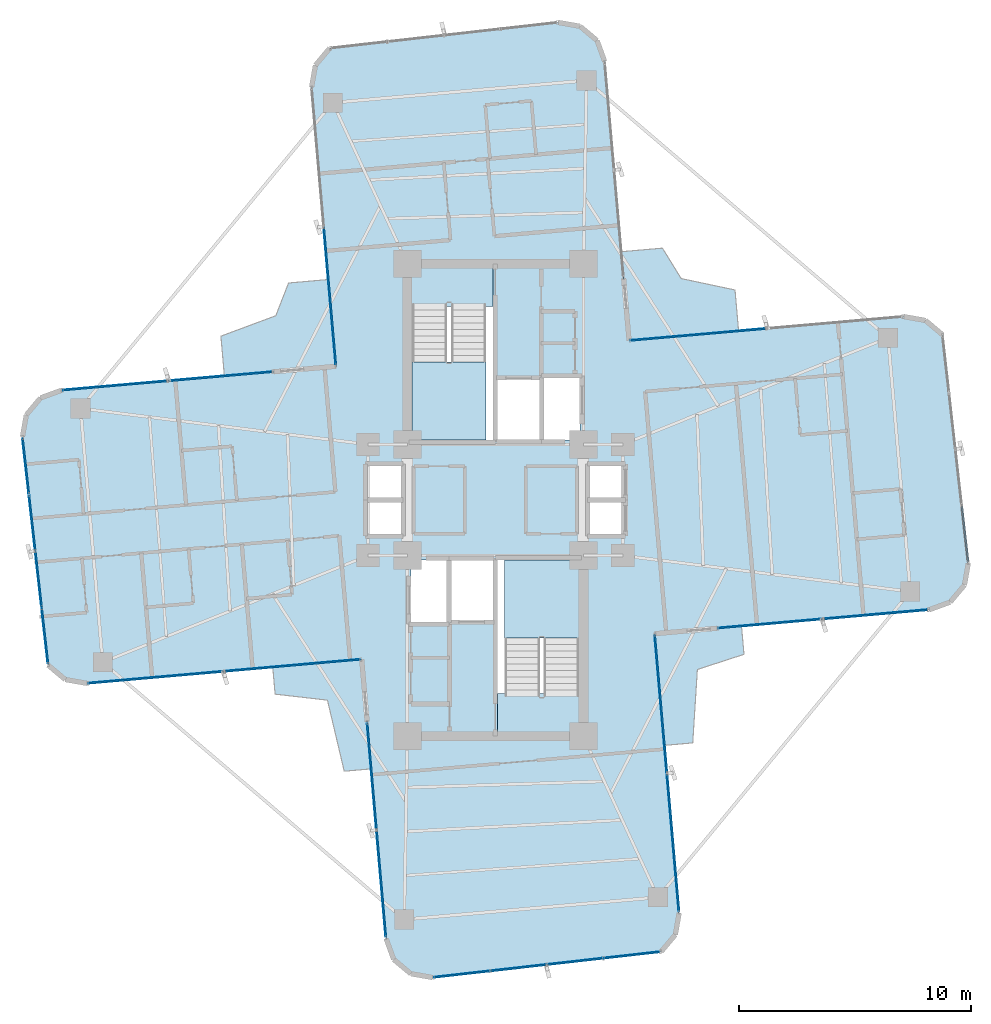
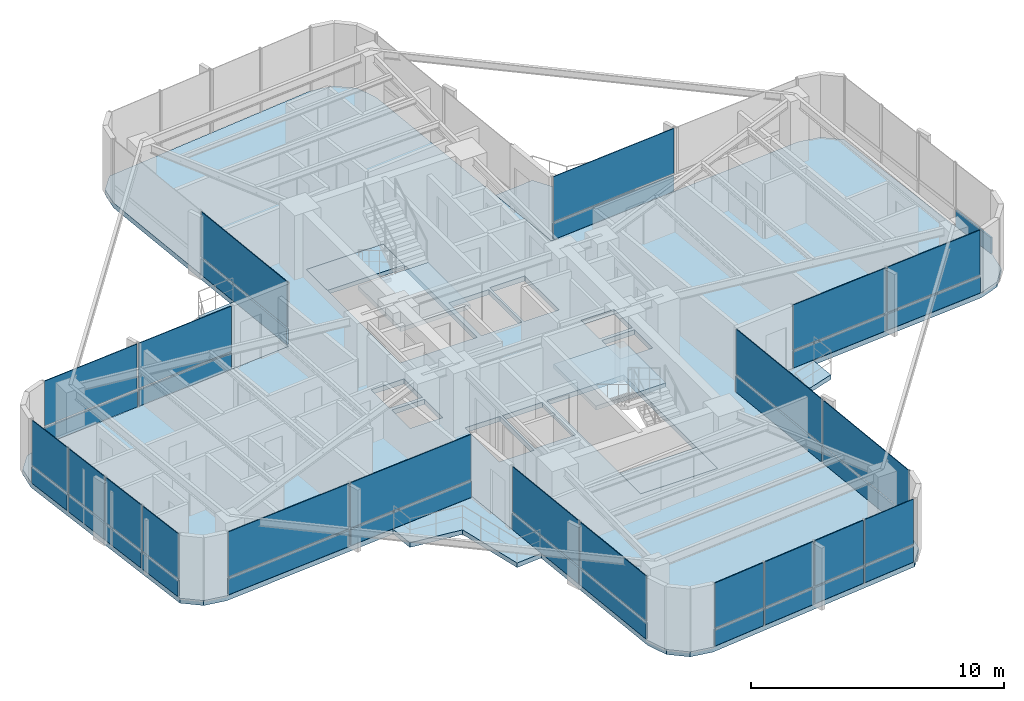
# One storey, part 19 of 24: 41 plates, 9 slabs, 12 elements without a shape of their own.
"""IFC4 building model written with IfcOpenShell, lengths in metres."""

from ifc_helpers import new_model, si_unit, direction, frame, origin, origin_2d, place, context, subcontext, project, spatial, polyline, rectangle, outline, extrude, source, transform, mapped, material, layer, layer_set, type_object, element, aggregate, save


model = new_model("IFC4")

# Units and contexts
model_context = context("Model", 3, precision=1e-05, world=origin(), true_north=direction((0.0, 1.0)))
body_context = subcontext(model_context, "Body", "Model", "MODEL_VIEW")
ifc_project = project(units=[si_unit("LENGTHUNIT", "METRE"), si_unit("AREAUNIT", "SQUARE_METRE"), si_unit("VOLUMEUNIT", "CUBIC_METRE"), si_unit("PLANEANGLEUNIT", "RADIAN"), si_unit("MASSUNIT", "GRAM", prefix="KILO")], contexts=[model_context])

# Site, building, storey
site_placement = place(None, origin())
site = spatial("IfcSite", under=ifc_project, at=site_placement, CompositionType="ELEMENT")
building_placement = place(site_placement, origin())
building = spatial("IfcBuilding", under=site, at=building_placement, Name="Sahyath Konkavel Grand Hotel", CompositionType="ELEMENT")
storey_placement = place(building_placement, frame((0.0, 0.0, 178.550048828125)))
storey = spatial("IfcBuildingStorey", under=building, at=storey_placement, Name="L49", CompositionType="ELEMENT", Elevation=178.550048828125)

# Slabs
ifc_material_1 = material(Name="Concrete C40/50", Category="concrete")
ifc_layer_1 = layer(ifc_material_1, 0.239990234375)
ifc_layer_set_1 = layer_set([ifc_layer_1], Name="Concrete C40/50")
slab_type_1 = type_object("IfcSlabType", Name="SLB-240", PredefinedType="FLOOR", material=ifc_layer_set_1)
slab_1_placement = place(storey_placement, frame((0.0, 0.0, -0.239990234375)))
element("IfcSlab", 1, at=slab_1_placement, inside=storey, type_object=slab_type_1, Name="L49 Structural Floor Slab", PredefinedType="FLOOR", context=body_context, shape_type="SweptSolid", body=[
    extrude(outline(polyline([(6.87939453125, -5.7724609375), (18.73388671875, -4.735107421875), (19.6337890625, -4.40771484375), (20.24951171875, -3.674072265625), (20.415771484375, -2.73095703125), (19.3037109375, 7.134521484375), (18.5703125, 7.75), (17.627197265625, 7.91650390625), (5.7724609375, 6.87939453125), (4.7177734375, 18.93310546875), (4.390380859375, 19.8330078125), (3.65673828125, 20.44873046875), (2.713623046875, 20.614990234375), (-7.152099609375, 19.5029296875), (-7.767578125, 18.769287109375), (-7.933837890625, 17.826416015625), (-6.87939453125, 5.7724609375), (-18.73388671875, 4.735107421875), (-19.6337890625, 4.40771484375), (-20.24951171875, 3.674072265625), (-20.415771484375, 2.73095703125), (-19.3037109375, -7.134521484375), (-18.5703125, -7.75), (-17.627197265625, -7.91650390625), (-5.7724609375, -6.87939453125), (-4.7177734375, -18.93310546875), (-4.390380859375, -19.8330078125), (-3.65673828125, -20.44873046875), (-2.713623046875, -20.614990234375), (7.152099609375, -19.5029296875), (7.767578125, -18.769287109375), (7.933837890625, -17.826416015625), (6.87939453125, -5.7724609375)]), holes=[polyline([(-3.6201171875, 2.580078125), (-0.10009765625, 2.580078125), (-0.10009765625, 10.02001953125), (-3.6201171875, 10.02001953125), (-3.6201171875, 2.580078125)]), polyline([(0.10009765625, -10.02001953125), (3.6201171875, -10.02001953125), (3.6201171875, -2.580078125), (0.10009765625, -2.580078125), (0.10009765625, -10.02001953125)]), polyline([(0.10009765625, 2.60009765625), (1.949951171875, 2.60009765625), (1.949951171875, 5.199951171875), (0.10009765625, 5.199951171875), (0.10009765625, 2.60009765625)]), polyline([(-1.949951171875, -5.199951171875), (-0.10009765625, -5.199951171875), (-0.10009765625, -2.60009765625), (-1.949951171875, -2.60009765625), (-1.949951171875, -5.199951171875)]), polyline([(2.050048828125, 2.60009765625), (3.64990234375, 2.60009765625), (3.64990234375, 5.300048828125), (2.050048828125, 5.300048828125), (2.050048828125, 2.60009765625)]), polyline([(-3.64990234375, -5.300048828125), (-2.050048828125, -5.300048828125), (-2.050048828125, -2.60009765625), (-3.64990234375, -2.60009765625), (-3.64990234375, -5.300048828125)]), polyline([(4.050048828125, 0.080078125), (5.550048828125, 0.080078125), (5.550048828125, 1.5400390625), (4.050048828125, 1.5400390625), (4.050048828125, 0.080078125)]), polyline([(4.050048828125, -1.5400390625), (5.550048828125, -1.5400390625), (5.550048828125, -0.080078125), (4.050048828125, -0.080078125), (4.050048828125, -1.5400390625)]), polyline([(-5.550048828125, 0.080078125), (-4.050048828125, 0.080078125), (-4.050048828125, 1.5400390625), (-5.550048828125, 1.5400390625), (-5.550048828125, 0.080078125)]), polyline([(-5.550048828125, -1.5400390625), (-4.050048828125, -1.5400390625), (-4.050048828125, -0.080078125), (-5.550048828125, -0.080078125), (-5.550048828125, -1.5400390625)])]), origin(), (0.0, 0.0, 1.0), 0.239990234375),
])
ifc_layer_2 = layer(ifc_material_1, 0.219970703125)
ifc_layer_set_2 = layer_set([ifc_layer_2], Name="Concrete C40/50")
slab_type_2 = type_object("IfcSlabType", Name="SLB-BALCONY-220", PredefinedType="FLOOR", material=ifc_layer_set_2)
slab_2_placement = place(storey_placement, frame((0.0, 0.0, -0.219970703125)))
element("IfcSlab", 2, at=slab_2_placement, inside=storey, type_object=slab_type_2, Name="L49 Winter-Garden Balcony NE", PredefinedType="FLOOR", context=body_context, shape_type="SweptSolid", body=[
    extrude(outline(polyline([(5.7724609375, 6.87939453125), (10.500244140625, 7.29296875), (10.34521484375, 9.0673828125), (8.021484375, 9.5595703125), (7.2109375, 10.873779296875), (5.4365234375, 10.718505859375), (5.7724609375, 6.87939453125)])), origin(), (0.0, 0.0, 1.0), 0.219970703125),
])
slab_3_placement = place(storey_placement, frame((0.0, 0.0, -0.219970703125)))
element("IfcSlab", 3, at=slab_3_placement, inside=storey, type_object=slab_type_2, Name="L49 Winter-Garden Balcony NW", PredefinedType="FLOOR", context=body_context, shape_type="SweptSolid", body=[
    extrude(outline(polyline([(-6.87939453125, 5.7724609375), (-7.20703125, 9.51904296875), (-8.92919921875, 9.368408203125), (-9.48046875, 7.955078125), (-11.8505859375, 7.07275390625), (-11.699951171875, 5.3505859375), (-6.87939453125, 5.7724609375)])), origin(), (0.0, 0.0, 1.0), 0.219970703125),
])
slab_4_placement = place(storey_placement, frame((0.0, 0.0, -0.219970703125)))
element("IfcSlab", 4, at=slab_4_placement, inside=storey, type_object=slab_type_2, Name="L49 Winter-Garden Balcony SW", PredefinedType="FLOOR", context=body_context, shape_type="SweptSolid", body=[
    extrude(outline(polyline([(-5.7724609375, -6.87939453125), (-9.61181640625, -7.215087890625), (-9.509765625, -8.38134765625), (-7.25048828125, -8.640869140625), (-6.52490234375, -11.709228515625), (-5.35888671875, -11.607177734375), (-5.7724609375, -6.87939453125)])), origin(), (0.0, 0.0, 1.0), 0.219970703125),
])
slab_5_placement = place(storey_placement, frame((0.0, 0.0, -0.219970703125)))
element("IfcSlab", 5, at=slab_5_placement, inside=storey, type_object=slab_type_2, Name="L49 Winter-Garden Balcony SE", PredefinedType="FLOOR", context=body_context, shape_type="SweptSolid", body=[
    extrude(outline(polyline([(6.87939453125, -5.7724609375), (7.301025390625, -10.593017578125), (8.51953125, -10.486328125), (8.719970703125, -7.31689453125), (10.732666015625, -6.6630859375), (10.6259765625, -5.444580078125), (6.87939453125, -5.7724609375)])), origin(), (0.0, 0.0, 1.0), 0.219970703125),
])

# Stair, slab
stair_type = type_object("IfcStairType", Name="STR-ST16-335", PredefinedType="HALF_TURN_STAIR", material=ifc_material_1)
stair_1_placement = place(storey_placement, origin())
stair_1 = element("IfcStair", 6, at=stair_1_placement, inside=storey, type_object=stair_type, Name="L49 North Core Smokeproof Exit Stair ST-1", PredefinedType="HALF_TURN_STAIR")
ifc_layer_3 = layer(ifc_material_1, 0.199951171875)
ifc_layer_set_3 = layer_set([ifc_layer_3], Name="Concrete C40/50")
slab_type_3 = type_object("IfcSlabType", Name="SLB-STAIR-LND", PredefinedType="LANDING", material=ifc_layer_set_3)
slab_6_placement = place(storey_placement, frame((0.0, 0.0, 1.474853515625)))
slab_6 = element("IfcSlab", 7, at=slab_6_placement, type_object=slab_type_3, Name="ST-1 landing 1", PredefinedType="LANDING", context=body_context, shape_type="SweptSolid", body=[
    extrude(outline(polyline([(-3.60009765625, 5.9599609375), (-3.60009765625, 2.60009765625), (-0.39990234375, 2.60009765625), (-0.39990234375, 5.9599609375), (-3.60009765625, 5.9599609375)])), origin(), (0.0, 0.0, 1.0), 0.2001953125),
])
aggregate(stair_1, [slab_6])

stair_2_placement = place(storey_placement, origin())
stair_2 = element("IfcStair", 8, at=stair_2_placement, inside=storey, type_object=stair_type, Name="L49 South Core Smokeproof Exit Stair ST-2", PredefinedType="HALF_TURN_STAIR")
slab_7_placement = place(storey_placement, frame((0.0, 0.0, 1.474853515625)))
slab_7 = element("IfcSlab", 9, at=slab_7_placement, type_object=slab_type_3, Name="ST-2 landing 1", PredefinedType="LANDING", context=body_context, shape_type="SweptSolid", body=[
    extrude(outline(polyline([(3.60009765625, -5.9599609375), (3.60009765625, -2.60009765625), (0.39990234375, -2.60009765625), (0.39990234375, -5.9599609375), (3.60009765625, -5.9599609375)])), origin(), (0.0, 0.0, 1.0), 0.2001953125),
])
aggregate(stair_2, [slab_7])

# Slabs
slab_8_placement = place(storey_placement, frame((0.0, 0.0, -0.199951171875)))
element("IfcSlab", 10, at=slab_8_placement, inside=storey, type_object=slab_type_3, Name="L49 Stair ST-1 Floor Landing Slab", PredefinedType="LANDING", context=body_context, shape_type="SweptSolid", body=[
    extrude(outline(polyline([(-3.6201171875, 8.35009765625), (-0.10009765625, 8.35009765625), (-0.10009765625, 10.02001953125), (-3.6201171875, 10.02001953125), (-3.6201171875, 8.35009765625)])), origin(), (0.0, 0.0, 1.0), 0.199951171875),
])
slab_9_placement = place(storey_placement, frame((0.0, 0.0, -0.199951171875)))
element("IfcSlab", 11, at=slab_9_placement, inside=storey, type_object=slab_type_3, Name="L49 Stair ST-2 Floor Landing Slab", PredefinedType="LANDING", context=body_context, shape_type="SweptSolid", body=[
    extrude(outline(polyline([(0.10009765625, -10.02001953125), (3.6201171875, -10.02001953125), (3.6201171875, -8.35009765625), (0.10009765625, -8.35009765625), (0.10009765625, -10.02001953125)])), origin(), (0.0, 0.0, 1.0), 0.199951171875),
])

# Curtain wall, plates
ifc_material_2 = material(Name="Anodised Bronze Aluminium & Low-E Glazing", Category="aluminium")
curtain_wall_type = type_object("IfcCurtainWallType", Name="CW-ZONE3", PredefinedType="NOTDEFINED", material=ifc_material_2)
curtain_wall_1_placement = place(storey_placement, origin())
curtain_wall_1 = element("IfcCurtainWall", 12, at=curtain_wall_1_placement, inside=storey, type_object=curtain_wall_type, Name="L49 Unitised Curtain Wall F0", PredefinedType="NOTDEFINED")
ifc_material_3 = material(Name="Warm Buff Sandstone Cladding", Category="masonry")
ifc_layer_4 = layer(ifc_material_3, 0.074951171875)
ifc_layer_set_4 = layer_set([ifc_layer_4], Name="Warm Buff Sandstone Cladding")
plate_type_1 = type_object("IfcPlateType", Name="PNL-SPANDREL-STONE", PredefinedType="SHEET", material=ifc_layer_set_4)
shared_shape_1 = source(origin(), body_context, "Body", "SweptSolid", [
    extrude(rectangle(XDim=4.47998046875, YDim=0.074951171875, at=origin_2d()), origin(), (0.0, 0.0, 1.0), 0.77001953125),
])
plate_1_placement = place(storey_placement, frame((11.880126953125, -5.334716796875, 0.0400390625), z_axis=(0.0, 0.0, 1.0), x_axis=(0.996194698092, 0.087155742748, 0.0)))
plate_1 = element("IfcPlate", 13, at=plate_1_placement, type_object=plate_type_1, Name="L49 Sandstone Relief Spandrel Panel F0-0", PredefinedType="SHEET", context=body_context, shape_type="MappedRepresentation", body=[
    mapped(shared_shape_1, transform((0.0, 0.0, 0.0), scale=1.0)),
])
plate_2_placement = place(storey_placement, frame((16.4228515625, -4.9375, 0.0400390625), z_axis=(0.0, 0.0, 1.0), x_axis=(0.996194698092, 0.087155742748, 0.0)))
plate_2 = element("IfcPlate", 14, at=plate_2_placement, type_object=plate_type_1, Name="L49 Sandstone Relief Spandrel Panel F0-1", PredefinedType="SHEET", context=body_context, shape_type="MappedRepresentation", body=[
    mapped(shared_shape_1, transform((0.0, 0.0, 0.0), scale=1.0)),
])

curtain_wall_2_placement = place(storey_placement, origin())
curtain_wall_2 = element("IfcCurtainWall", 15, at=curtain_wall_2_placement, inside=storey, type_object=curtain_wall_type, Name="L49 Unitised Curtain Wall F16", PredefinedType="NOTDEFINED")
plate_3_placement = place(storey_placement, frame((-11.880126953125, 5.334716796875, 0.0400390625), z_axis=(0.0, 0.0, 1.0), x_axis=(-0.996194698092, -0.087155742748, 0.0)))
plate_3 = element("IfcPlate", 16, at=plate_3_placement, type_object=plate_type_1, Name="L49 Sandstone Relief Spandrel Panel F16-0", PredefinedType="SHEET", context=body_context, shape_type="MappedRepresentation", body=[
    mapped(shared_shape_1, transform((0.0, 0.0, 0.0), scale=1.0)),
])
plate_4_placement = place(storey_placement, frame((-16.4228515625, 4.9375, 0.0400390625), z_axis=(0.0, 0.0, 1.0), x_axis=(-0.996194698092, -0.087155742748, 0.0)))
plate_4 = element("IfcPlate", 17, at=plate_4_placement, type_object=plate_type_1, Name="L49 Sandstone Relief Spandrel Panel F16-1", PredefinedType="SHEET", context=body_context, shape_type="MappedRepresentation", body=[
    mapped(shared_shape_1, transform((0.0, 0.0, 0.0), scale=1.0)),
])

# Curtain wall, plate
curtain_wall_3_placement = place(storey_placement, origin())
curtain_wall_3 = element("IfcCurtainWall", 18, at=curtain_wall_3_placement, inside=storey, type_object=curtain_wall_type, Name="L49 Unitised Curtain Wall F4", PredefinedType="NOTDEFINED")
shared_shape_2 = source(origin(), body_context, "Body", "SweptSolid", [
    extrude(rectangle(XDim=2.382080078125, YDim=0.074951171875, at=origin_2d()), origin(), (0.0, 0.0, 1.0), 0.77001953125),
])
plate_5_placement = place(storey_placement, frame((20.2734375, -1.468017578125, 0.0400390625), z_axis=(0.0, 0.0, 1.0), x_axis=(-0.111989252568, 0.993709417943, 0.0)))
plate_5 = element("IfcPlate", 19, at=plate_5_placement, type_object=plate_type_1, Name="L49 Sandstone Relief Spandrel Panel F4-0", PredefinedType="SHEET", context=body_context, shape_type="MappedRepresentation", body=[
    mapped(shared_shape_2, transform((0.0, 0.0, 0.0), scale=1.0)),
])
aggregate(curtain_wall_3, [plate_5])

# Curtain wall, plates
curtain_wall_4_placement = place(storey_placement, origin())
curtain_wall_4 = element("IfcCurtainWall", 20, at=curtain_wall_4_placement, inside=storey, type_object=curtain_wall_type, Name="L49 Unitised Curtain Wall F20", PredefinedType="NOTDEFINED")
plate_6_placement = place(storey_placement, frame((-20.2734375, 1.468017578125, 0.0400390625), z_axis=(0.0, 0.0, 1.0), x_axis=(0.111989252568, -0.993709417943, 0.0)))
plate_6 = element("IfcPlate", 21, at=plate_6_placement, type_object=plate_type_1, Name="L49 Sandstone Relief Spandrel Panel F20-0", PredefinedType="SHEET", context=body_context, shape_type="MappedRepresentation", body=[
    mapped(shared_shape_2, transform((0.0, 0.0, 0.0), scale=1.0)),
])
plate_7_placement = place(storey_placement, frame((-19.99755859375, -0.978515625, 0.0400390625), z_axis=(0.0, 0.0, 1.0), x_axis=(0.111989252568, -0.993709417943, 0.0)))
plate_7 = element("IfcPlate", 22, at=plate_7_placement, type_object=plate_type_1, Name="L49 Sandstone Relief Spandrel Panel F20-1", PredefinedType="SHEET", context=body_context, shape_type="MappedRepresentation", body=[
    mapped(shared_shape_2, transform((0.0, 0.0, 0.0), scale=1.0)),
])
plate_8_placement = place(storey_placement, frame((-19.7216796875, -3.425048828125, 0.0400390625), z_axis=(0.0, 0.0, 1.0), x_axis=(0.111989252568, -0.993709417943, 0.0)))
plate_8 = element("IfcPlate", 23, at=plate_8_placement, type_object=plate_type_1, Name="L49 Sandstone Relief Spandrel Panel F20-2", PredefinedType="SHEET", context=body_context, shape_type="MappedRepresentation", body=[
    mapped(shared_shape_2, transform((0.0, 0.0, 0.0), scale=1.0)),
])
plate_9_placement = place(storey_placement, frame((-19.446044921875, -5.87158203125, 0.0400390625), z_axis=(0.0, 0.0, 1.0), x_axis=(0.111989252568, -0.993709417943, 0.0)))
plate_9 = element("IfcPlate", 24, at=plate_9_placement, type_object=plate_type_1, Name="L49 Sandstone Relief Spandrel Panel F20-3", PredefinedType="SHEET", context=body_context, shape_type="MappedRepresentation", body=[
    mapped(shared_shape_2, transform((0.0, 0.0, 0.0), scale=1.0)),
])

curtain_wall_5_placement = place(storey_placement, origin())
curtain_wall_5 = element("IfcCurtainWall", 25, at=curtain_wall_5_placement, inside=storey, type_object=curtain_wall_type, Name="L49 Unitised Curtain Wall F28", PredefinedType="NOTDEFINED")
plate_10_placement = place(storey_placement, frame((-1.45068359375, -20.47265625, 0.0400390625), z_axis=(0.0, 0.0, 1.0), x_axis=(0.993707463211, 0.112006596052, 0.0)))
plate_10 = element("IfcPlate", 26, at=plate_10_placement, type_object=plate_type_1, Name="L49 Sandstone Relief Spandrel Panel F28-0", PredefinedType="SHEET", context=body_context, shape_type="MappedRepresentation", body=[
    mapped(shared_shape_2, transform((0.0, 0.0, 0.0), scale=1.0)),
])
plate_11_placement = place(storey_placement, frame((0.995849609375, -20.197021484375, 0.0400390625), z_axis=(0.0, 0.0, 1.0), x_axis=(0.993707463211, 0.112006596052, 0.0)))
plate_11 = element("IfcPlate", 27, at=plate_11_placement, type_object=plate_type_1, Name="L49 Sandstone Relief Spandrel Panel F28-1", PredefinedType="SHEET", context=body_context, shape_type="MappedRepresentation", body=[
    mapped(shared_shape_2, transform((0.0, 0.0, 0.0), scale=1.0)),
])
plate_12_placement = place(storey_placement, frame((3.4423828125, -19.921142578125, 0.0400390625), z_axis=(0.0, 0.0, 1.0), x_axis=(0.993707463211, 0.112006596052, 0.0)))
plate_12 = element("IfcPlate", 28, at=plate_12_placement, type_object=plate_type_1, Name="L49 Sandstone Relief Spandrel Panel F28-2", PredefinedType="SHEET", context=body_context, shape_type="MappedRepresentation", body=[
    mapped(shared_shape_2, transform((0.0, 0.0, 0.0), scale=1.0)),
])
plate_13_placement = place(storey_placement, frame((5.888916015625, -19.6455078125, 0.0400390625), z_axis=(0.0, 0.0, 1.0), x_axis=(0.993707463211, 0.112006596052, 0.0)))
plate_13 = element("IfcPlate", 29, at=plate_13_placement, type_object=plate_type_1, Name="L49 Sandstone Relief Spandrel Panel F28-3", PredefinedType="SHEET", context=body_context, shape_type="MappedRepresentation", body=[
    mapped(shared_shape_2, transform((0.0, 0.0, 0.0), scale=1.0)),
])

# Curtain wall, plate
curtain_wall_6_placement = place(storey_placement, origin())
curtain_wall_6 = element("IfcCurtainWall", 30, at=curtain_wall_6_placement, inside=storey, type_object=curtain_wall_type, Name="L49 Unitised Curtain Wall F7", PredefinedType="NOTDEFINED")
shared_shape_3 = source(origin(), body_context, "Body", "SweptSolid", [
    extrude(rectangle(XDim=5.830078125, YDim=0.074951171875, at=origin_2d()), origin(), (0.0, 0.0, 1.0), 0.77001953125),
])
plate_14_placement = place(storey_placement, frame((8.756103515625, 7.140380859375, 0.0400390625), z_axis=(0.0, 0.0, 1.0), x_axis=(-0.996194698092, -0.087155742748, 0.0)))
plate_14 = element("IfcPlate", 31, at=plate_14_placement, type_object=plate_type_1, Name="L49 Sandstone Relief Spandrel Panel F7-1", PredefinedType="SHEET", context=body_context, shape_type="MappedRepresentation", body=[
    mapped(shared_shape_3, transform((0.0, 0.0, 0.0), scale=1.0)),
])

# Curtain wall, plates
curtain_wall_7_placement = place(storey_placement, origin())
curtain_wall_7 = element("IfcCurtainWall", 32, at=curtain_wall_7_placement, inside=storey, type_object=curtain_wall_type, Name="L49 Unitised Curtain Wall F23", PredefinedType="NOTDEFINED")
plate_15_placement = place(storey_placement, frame((-14.6435546875, -7.655517578125, 0.0400390625), z_axis=(0.0, 0.0, 1.0), x_axis=(0.996194698092, 0.087155742748, 0.0)))
plate_15 = element("IfcPlate", 33, at=plate_15_placement, type_object=plate_type_1, Name="L49 Sandstone Relief Spandrel Panel F23-0", PredefinedType="SHEET", context=body_context, shape_type="MappedRepresentation", body=[
    mapped(shared_shape_3, transform((0.0, 0.0, 0.0), scale=1.0)),
])
plate_16_placement = place(storey_placement, frame((-8.756103515625, -7.140380859375, 0.0400390625), z_axis=(0.0, 0.0, 1.0), x_axis=(0.996194698092, 0.087155742748, 0.0)))
plate_16 = element("IfcPlate", 34, at=plate_16_placement, type_object=plate_type_1, Name="L49 Sandstone Relief Spandrel Panel F23-1", PredefinedType="SHEET", context=body_context, shape_type="MappedRepresentation", body=[
    mapped(shared_shape_3, transform((0.0, 0.0, 0.0), scale=1.0)),
])

curtain_wall_8_placement = place(storey_placement, origin())
curtain_wall_8 = element("IfcCurtainWall", 35, at=curtain_wall_8_placement, inside=storey, type_object=curtain_wall_type, Name="L49 Unitised Curtain Wall F24", PredefinedType="NOTDEFINED")
shared_shape_4 = source(origin(), body_context, "Body", "SweptSolid", [
    extrude(rectangle(XDim=4.580078125, YDim=0.074951171875, at=origin_2d()), origin(), (0.0, 0.0, 1.0), 0.77001953125),
])
plate_17_placement = place(storey_placement, frame((-5.33056640625, -11.929931640625, 0.0400390625), z_axis=(0.0, 0.0, 1.0), x_axis=(0.087155742748, -0.996194698092, 0.0)))
plate_17 = element("IfcPlate", 36, at=plate_17_placement, type_object=plate_type_1, Name="L49 Sandstone Relief Spandrel Panel F24-0", PredefinedType="SHEET", context=body_context, shape_type="MappedRepresentation", body=[
    mapped(shared_shape_4, transform((0.0, 0.0, 0.0), scale=1.0)),
])
plate_18_placement = place(storey_placement, frame((-4.92431640625, -16.572265625, 0.0400390625), z_axis=(0.0, 0.0, 1.0), x_axis=(0.087155742748, -0.996194698092, 0.0)))
plate_18 = element("IfcPlate", 37, at=plate_18_placement, type_object=plate_type_1, Name="L49 Sandstone Relief Spandrel Panel F24-1", PredefinedType="SHEET", context=body_context, shape_type="MappedRepresentation", body=[
    mapped(shared_shape_4, transform((0.0, 0.0, 0.0), scale=1.0)),
])

# Curtain wall, plate
curtain_wall_9_placement = place(storey_placement, origin())
curtain_wall_9 = element("IfcCurtainWall", 38, at=curtain_wall_9_placement, inside=storey, type_object=curtain_wall_type, Name="L49 Unitised Curtain Wall F15", PredefinedType="NOTDEFINED")
shared_shape_5 = source(origin(), body_context, "Body", "SweptSolid", [
    extrude(rectangle(XDim=5.929931640625, YDim=0.074951171875, at=origin_2d()), origin(), (0.0, 0.0, 1.0), 0.77001953125),
])
plate_19_placement = place(storey_placement, frame((-7.144775390625, 8.805908203125, 0.0400390625), z_axis=(0.0, 0.0, 1.0), x_axis=(0.087155742748, -0.996194698092, 0.0)))
plate_19 = element("IfcPlate", 39, at=plate_19_placement, type_object=plate_type_1, Name="L49 Sandstone Relief Spandrel Panel F15-1", PredefinedType="SHEET", context=body_context, shape_type="MappedRepresentation", body=[
    mapped(shared_shape_5, transform((0.0, 0.0, 0.0), scale=1.0)),
])

# Curtain wall, plates
curtain_wall_10_placement = place(storey_placement, origin())
curtain_wall_10 = element("IfcCurtainWall", 40, at=curtain_wall_10_placement, inside=storey, type_object=curtain_wall_type, Name="L49 Unitised Curtain Wall F31", PredefinedType="NOTDEFINED")
plate_20_placement = place(storey_placement, frame((7.66845703125, -14.79296875, 0.0400390625), z_axis=(0.0, 0.0, 1.0), x_axis=(-0.087155742748, 0.996194698092, 0.0)))
plate_20 = element("IfcPlate", 41, at=plate_20_placement, type_object=plate_type_1, Name="L49 Sandstone Relief Spandrel Panel F31-0", PredefinedType="SHEET", context=body_context, shape_type="MappedRepresentation", body=[
    mapped(shared_shape_5, transform((0.0, 0.0, 0.0), scale=1.0)),
])
plate_21_placement = place(storey_placement, frame((7.144775390625, -8.805908203125, 0.0400390625), z_axis=(0.0, 0.0, 1.0), x_axis=(-0.087155742748, 0.996194698092, 0.0)))
plate_21 = element("IfcPlate", 42, at=plate_21_placement, type_object=plate_type_1, Name="L49 Sandstone Relief Spandrel Panel F31-1", PredefinedType="SHEET", context=body_context, shape_type="MappedRepresentation", body=[
    mapped(shared_shape_5, transform((0.0, 0.0, 0.0), scale=1.0)),
])

# Plate
ifc_material_4 = material(Name="Low-E Solar Control Double Glazing", Category="glass")
ifc_layer_5 = layer(ifc_material_4, 0.035888671875)
ifc_layer_set_5 = layer_set([ifc_layer_5], Name="Low-E Solar Control Double Glazing")
plate_type_2 = type_object("IfcPlateType", Name="PNL-VISION-LOWE", PredefinedType="CURTAIN_PANEL", material=ifc_layer_set_5)
shared_shape_6 = source(origin(), body_context, "Body", "SweptSolid", [
    extrude(rectangle(XDim=4.47998046875, YDim=0.035888671875, at=origin_2d()), origin(), (0.0, 0.0, 1.0), 2.179931640625),
])
plate_22_placement = place(storey_placement, frame((11.880126953125, -5.334716796875, 0.89013671875), z_axis=(0.0, 0.0, 1.0), x_axis=(0.996194698092, 0.087155742748, 0.0)))
plate_22 = element("IfcPlate", 43, at=plate_22_placement, type_object=plate_type_2, Name="L49 Low-E Vision Glazing Panel F0-0", PredefinedType="CURTAIN_PANEL", context=body_context, shape_type="MappedRepresentation", body=[
    mapped(shared_shape_6, transform((0.0, 0.0, 0.0), scale=1.0)),
])

plate_23_placement = place(storey_placement, frame((16.4228515625, -4.9375, 0.89013671875), z_axis=(0.0, 0.0, 1.0), x_axis=(0.996194698092, 0.087155742748, 0.0)))
plate_23 = element("IfcPlate", 44, at=plate_23_placement, type_object=plate_type_2, Name="L49 Low-E Vision Glazing Panel F0-1", PredefinedType="CURTAIN_PANEL", context=body_context, shape_type="MappedRepresentation", body=[
    mapped(shared_shape_6, transform((0.0, 0.0, 0.0), scale=1.0)),
])

aggregate(curtain_wall_1, [plate_1, plate_22, plate_2, plate_23])

plate_24_placement = place(storey_placement, frame((-11.880126953125, 5.334716796875, 0.89013671875), z_axis=(0.0, 0.0, 1.0), x_axis=(-0.996194698092, -0.087155742748, 0.0)))
plate_24 = element("IfcPlate", 45, at=plate_24_placement, type_object=plate_type_2, Name="L49 Low-E Vision Glazing Panel F16-0", PredefinedType="CURTAIN_PANEL", context=body_context, shape_type="MappedRepresentation", body=[
    mapped(shared_shape_6, transform((0.0, 0.0, 0.0), scale=1.0)),
])

plate_25_placement = place(storey_placement, frame((-16.4228515625, 4.9375, 0.89013671875), z_axis=(0.0, 0.0, 1.0), x_axis=(-0.996194698092, -0.087155742748, 0.0)))
plate_25 = element("IfcPlate", 46, at=plate_25_placement, type_object=plate_type_2, Name="L49 Low-E Vision Glazing Panel F16-1", PredefinedType="CURTAIN_PANEL", context=body_context, shape_type="MappedRepresentation", body=[
    mapped(shared_shape_6, transform((0.0, 0.0, 0.0), scale=1.0)),
])

aggregate(curtain_wall_2, [plate_3, plate_24, plate_4, plate_25])

shared_shape_7 = source(origin(), body_context, "Body", "SweptSolid", [
    extrude(rectangle(XDim=2.382080078125, YDim=0.035888671875, at=origin_2d()), origin(), (0.0, 0.0, 1.0), 2.179931640625),
])
plate_26_placement = place(storey_placement, frame((-20.2734375, 1.468017578125, 0.89013671875), z_axis=(0.0, 0.0, 1.0), x_axis=(0.111989252568, -0.993709417943, 0.0)))
plate_26 = element("IfcPlate", 47, at=plate_26_placement, type_object=plate_type_2, Name="L49 Low-E Vision Glazing Panel F20-0", PredefinedType="CURTAIN_PANEL", context=body_context, shape_type="MappedRepresentation", body=[
    mapped(shared_shape_7, transform((0.0, 0.0, 0.0), scale=1.0)),
])

plate_27_placement = place(storey_placement, frame((-19.99755859375, -0.978515625, 0.89013671875), z_axis=(0.0, 0.0, 1.0), x_axis=(0.111989252568, -0.993709417943, 0.0)))
plate_27 = element("IfcPlate", 48, at=plate_27_placement, type_object=plate_type_2, Name="L49 Low-E Vision Glazing Panel F20-1", PredefinedType="CURTAIN_PANEL", context=body_context, shape_type="MappedRepresentation", body=[
    mapped(shared_shape_7, transform((0.0, 0.0, 0.0), scale=1.0)),
])

plate_28_placement = place(storey_placement, frame((-19.7216796875, -3.425048828125, 0.89013671875), z_axis=(0.0, 0.0, 1.0), x_axis=(0.111989252568, -0.993709417943, 0.0)))
plate_28 = element("IfcPlate", 49, at=plate_28_placement, type_object=plate_type_2, Name="L49 Low-E Vision Glazing Panel F20-2", PredefinedType="CURTAIN_PANEL", context=body_context, shape_type="MappedRepresentation", body=[
    mapped(shared_shape_7, transform((0.0, 0.0, 0.0), scale=1.0)),
])

plate_29_placement = place(storey_placement, frame((-19.446044921875, -5.87158203125, 0.89013671875), z_axis=(0.0, 0.0, 1.0), x_axis=(0.111989252568, -0.993709417943, 0.0)))
plate_29 = element("IfcPlate", 50, at=plate_29_placement, type_object=plate_type_2, Name="L49 Low-E Vision Glazing Panel F20-3", PredefinedType="CURTAIN_PANEL", context=body_context, shape_type="MappedRepresentation", body=[
    mapped(shared_shape_7, transform((0.0, 0.0, 0.0), scale=1.0)),
])

aggregate(curtain_wall_4, [plate_6, plate_26, plate_7, plate_27, plate_8, plate_28, plate_9, plate_29])

plate_30_placement = place(storey_placement, frame((-1.45068359375, -20.47265625, 0.89013671875), z_axis=(0.0, 0.0, 1.0), x_axis=(0.993707463211, 0.112006596052, 0.0)))
plate_30 = element("IfcPlate", 51, at=plate_30_placement, type_object=plate_type_2, Name="L49 Low-E Vision Glazing Panel F28-0", PredefinedType="CURTAIN_PANEL", context=body_context, shape_type="MappedRepresentation", body=[
    mapped(shared_shape_7, transform((0.0, 0.0, 0.0), scale=1.0)),
])

plate_31_placement = place(storey_placement, frame((0.995849609375, -20.197021484375, 0.89013671875), z_axis=(0.0, 0.0, 1.0), x_axis=(0.993707463211, 0.112006596052, 0.0)))
plate_31 = element("IfcPlate", 52, at=plate_31_placement, type_object=plate_type_2, Name="L49 Low-E Vision Glazing Panel F28-1", PredefinedType="CURTAIN_PANEL", context=body_context, shape_type="MappedRepresentation", body=[
    mapped(shared_shape_7, transform((0.0, 0.0, 0.0), scale=1.0)),
])

plate_32_placement = place(storey_placement, frame((3.4423828125, -19.921142578125, 0.89013671875), z_axis=(0.0, 0.0, 1.0), x_axis=(0.993707463211, 0.112006596052, 0.0)))
plate_32 = element("IfcPlate", 53, at=plate_32_placement, type_object=plate_type_2, Name="L49 Low-E Vision Glazing Panel F28-2", PredefinedType="CURTAIN_PANEL", context=body_context, shape_type="MappedRepresentation", body=[
    mapped(shared_shape_7, transform((0.0, 0.0, 0.0), scale=1.0)),
])

plate_33_placement = place(storey_placement, frame((5.888916015625, -19.6455078125, 0.89013671875), z_axis=(0.0, 0.0, 1.0), x_axis=(0.993707463211, 0.112006596052, 0.0)))
plate_33 = element("IfcPlate", 54, at=plate_33_placement, type_object=plate_type_2, Name="L49 Low-E Vision Glazing Panel F28-3", PredefinedType="CURTAIN_PANEL", context=body_context, shape_type="MappedRepresentation", body=[
    mapped(shared_shape_7, transform((0.0, 0.0, 0.0), scale=1.0)),
])

aggregate(curtain_wall_5, [plate_10, plate_30, plate_11, plate_31, plate_12, plate_32, plate_13, plate_33])

shared_shape_8 = source(origin(), body_context, "Body", "SweptSolid", [
    extrude(rectangle(XDim=5.830078125, YDim=0.035888671875, at=origin_2d()), origin(), (0.0, 0.0, 1.0), 2.179931640625),
])
plate_34_placement = place(storey_placement, frame((8.756103515625, 7.140380859375, 0.89013671875), z_axis=(0.0, 0.0, 1.0), x_axis=(-0.996194698092, -0.087155742748, 0.0)))
plate_34 = element("IfcPlate", 55, at=plate_34_placement, type_object=plate_type_2, Name="L49 Low-E Vision Glazing Panel F7-1", PredefinedType="CURTAIN_PANEL", context=body_context, shape_type="MappedRepresentation", body=[
    mapped(shared_shape_8, transform((0.0, 0.0, 0.0), scale=1.0)),
])

aggregate(curtain_wall_6, [plate_14, plate_34])

plate_35_placement = place(storey_placement, frame((-14.6435546875, -7.655517578125, 0.89013671875), z_axis=(0.0, 0.0, 1.0), x_axis=(0.996194698092, 0.087155742748, 0.0)))
plate_35 = element("IfcPlate", 56, at=plate_35_placement, type_object=plate_type_2, Name="L49 Low-E Vision Glazing Panel F23-0", PredefinedType="CURTAIN_PANEL", context=body_context, shape_type="MappedRepresentation", body=[
    mapped(shared_shape_8, transform((0.0, 0.0, 0.0), scale=1.0)),
])

plate_36_placement = place(storey_placement, frame((-8.756103515625, -7.140380859375, 0.89013671875), z_axis=(0.0, 0.0, 1.0), x_axis=(0.996194698092, 0.087155742748, 0.0)))
plate_36 = element("IfcPlate", 57, at=plate_36_placement, type_object=plate_type_2, Name="L49 Low-E Vision Glazing Panel F23-1", PredefinedType="CURTAIN_PANEL", context=body_context, shape_type="MappedRepresentation", body=[
    mapped(shared_shape_8, transform((0.0, 0.0, 0.0), scale=1.0)),
])

aggregate(curtain_wall_7, [plate_15, plate_35, plate_16, plate_36])

shared_shape_9 = source(origin(), body_context, "Body", "SweptSolid", [
    extrude(rectangle(XDim=4.580078125, YDim=0.035888671875, at=origin_2d()), origin(), (0.0, 0.0, 1.0), 2.179931640625),
])
plate_37_placement = place(storey_placement, frame((-5.33056640625, -11.929931640625, 0.89013671875), z_axis=(0.0, 0.0, 1.0), x_axis=(0.087155742748, -0.996194698092, 0.0)))
plate_37 = element("IfcPlate", 58, at=plate_37_placement, type_object=plate_type_2, Name="L49 Low-E Vision Glazing Panel F24-0", PredefinedType="CURTAIN_PANEL", context=body_context, shape_type="MappedRepresentation", body=[
    mapped(shared_shape_9, transform((0.0, 0.0, 0.0), scale=1.0)),
])

plate_38_placement = place(storey_placement, frame((-4.92431640625, -16.572265625, 0.89013671875), z_axis=(0.0, 0.0, 1.0), x_axis=(0.087155742748, -0.996194698092, 0.0)))
plate_38 = element("IfcPlate", 59, at=plate_38_placement, type_object=plate_type_2, Name="L49 Low-E Vision Glazing Panel F24-1", PredefinedType="CURTAIN_PANEL", context=body_context, shape_type="MappedRepresentation", body=[
    mapped(shared_shape_9, transform((0.0, 0.0, 0.0), scale=1.0)),
])

aggregate(curtain_wall_8, [plate_17, plate_37, plate_18, plate_38])

shared_shape_10 = source(origin(), body_context, "Body", "SweptSolid", [
    extrude(rectangle(XDim=5.929931640625, YDim=0.035888671875, at=origin_2d()), origin(), (0.0, 0.0, 1.0), 2.179931640625),
])
plate_39_placement = place(storey_placement, frame((-7.144775390625, 8.805908203125, 0.89013671875), z_axis=(0.0, 0.0, 1.0), x_axis=(0.087155742748, -0.996194698092, 0.0)))
plate_39 = element("IfcPlate", 60, at=plate_39_placement, type_object=plate_type_2, Name="L49 Low-E Vision Glazing Panel F15-1", PredefinedType="CURTAIN_PANEL", context=body_context, shape_type="MappedRepresentation", body=[
    mapped(shared_shape_10, transform((0.0, 0.0, 0.0), scale=1.0)),
])

aggregate(curtain_wall_9, [plate_19, plate_39])

plate_40_placement = place(storey_placement, frame((7.66845703125, -14.79296875, 0.89013671875), z_axis=(0.0, 0.0, 1.0), x_axis=(-0.087155742748, 0.996194698092, 0.0)))
plate_40 = element("IfcPlate", 61, at=plate_40_placement, type_object=plate_type_2, Name="L49 Low-E Vision Glazing Panel F31-0", PredefinedType="CURTAIN_PANEL", context=body_context, shape_type="MappedRepresentation", body=[
    mapped(shared_shape_10, transform((0.0, 0.0, 0.0), scale=1.0)),
])

plate_41_placement = place(storey_placement, frame((7.144775390625, -8.805908203125, 0.89013671875), z_axis=(0.0, 0.0, 1.0), x_axis=(-0.087155742748, 0.996194698092, 0.0)))
plate_41 = element("IfcPlate", 62, at=plate_41_placement, type_object=plate_type_2, Name="L49 Low-E Vision Glazing Panel F31-1", PredefinedType="CURTAIN_PANEL", context=body_context, shape_type="MappedRepresentation", body=[
    mapped(shared_shape_10, transform((0.0, 0.0, 0.0), scale=1.0)),
])

aggregate(curtain_wall_10, [plate_20, plate_40, plate_21, plate_41])

save(model, "model.ifc")
